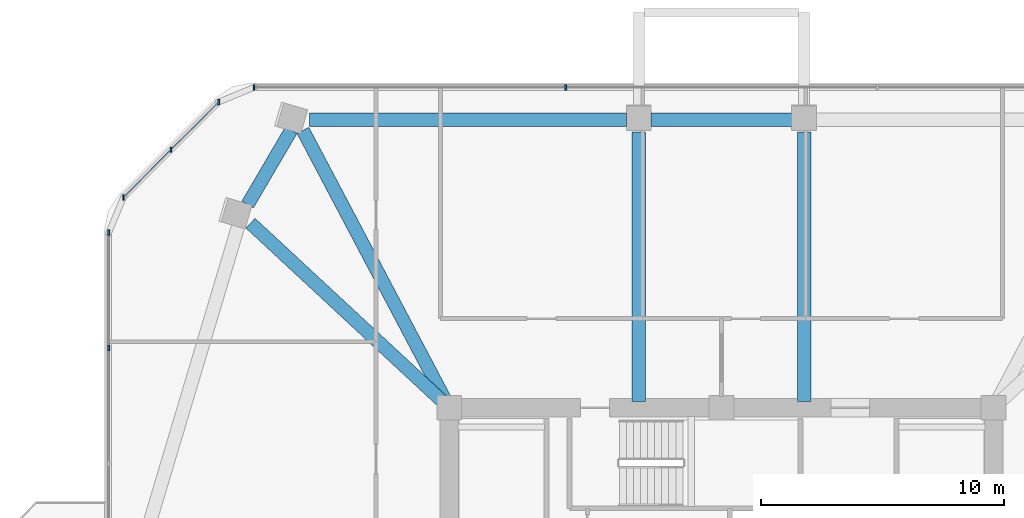
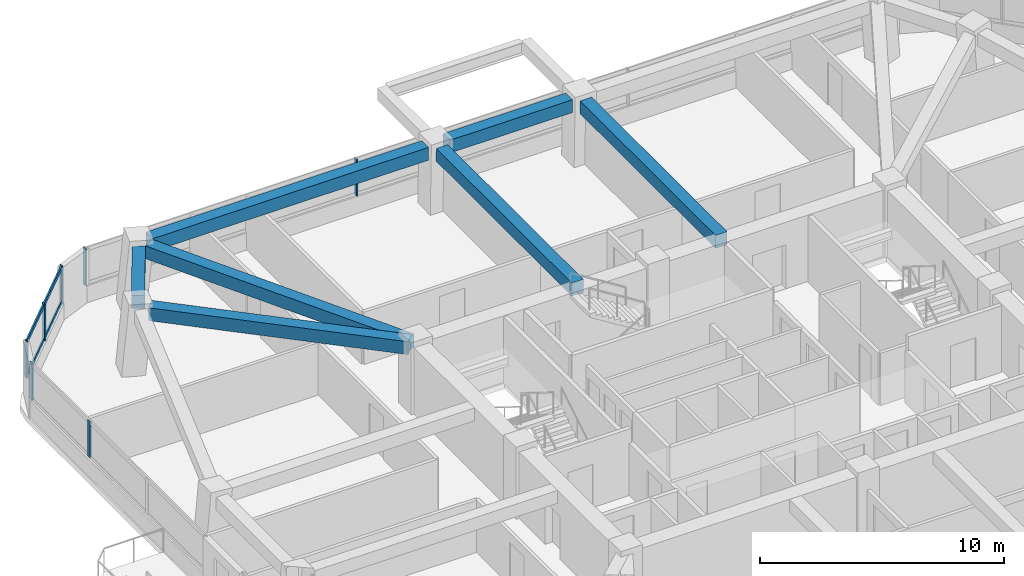
# One storey, part 6 of 14: 9 members, 7 beams, 3 elements without a shape of their own.
"""IFC4 building model written with IfcOpenShell, lengths in metres."""

from ifc_helpers import new_model, si_unit, derived_unit, direction, frame, origin, origin_2d, place, context, subcontext, project, spatial, rectangle, extrude, material, material_profile, profile_set, type_object, element, aggregate, save


model = new_model("IFC4")

# Units and contexts
model_context = context("Model", 3, precision=1e-05, world=origin(), true_north=direction((0.0, 1.0)))
body_context = subcontext(model_context, "Body", "Model", "MODEL_VIEW")
ifc_project = project(units=[si_unit("LENGTHUNIT", "METRE"), si_unit("AREAUNIT", "SQUARE_METRE"), si_unit("VOLUMEUNIT", "CUBIC_METRE"), si_unit("PLANEANGLEUNIT", "RADIAN"), si_unit("MASSUNIT", "GRAM", prefix="KILO"), derived_unit("THERMALTRANSMITTANCEUNIT", [(si_unit("POWERUNIT", "WATT"), 1), (si_unit("LENGTHUNIT", "METRE"), -2), (si_unit("THERMODYNAMICTEMPERATUREUNIT", "KELVIN"), -1)])], contexts=[model_context])

# Site, building, storey
site_placement = place(None, origin())
site = spatial("IfcSite", under=ifc_project, at=site_placement, CompositionType="ELEMENT")
building_placement = place(site_placement, origin())
building = spatial("IfcBuilding", under=site, at=building_placement, Name="Koralith Skygarden Medical Center", CompositionType="ELEMENT")
storey_placement = place(building_placement, frame((0.0, 0.0, 106.3798828125)))
storey = spatial("IfcBuildingStorey", under=building, at=storey_placement, Name="L27", CompositionType="ELEMENT", Elevation=106.3798828125)

# Curtain wall, members
ifc_material_1 = material(Name="Clear Laminated Glass", Category="glass")
curtain_wall_type = type_object("IfcCurtainWallType", Name="CW-3 Zone 2 Faceted Solar Curtain Wall", PredefinedType="NOTDEFINED", material=ifc_material_1)
curtain_wall_1_placement = place(storey_placement, origin())
curtain_wall_1 = element("IfcCurtainWall", 1, at=curtain_wall_1_placement, inside=storey, type_object=curtain_wall_type, Name="Curtain Wall CW-L27-N", PredefinedType="NOTDEFINED")
ifc_material_2 = material(Name="Aluminium 6063-T6", Category="aluminium")
ifc_material_profile_1 = material_profile(ifc_material_2, rectangle(XDim=0.073974609375, YDim=0.219970703125, at=origin_2d()), Name="MUL74X220")
ifc_profile_set_1 = profile_set([ifc_material_profile_1], Name="Aluminium 6063-T6")
member_type_1 = type_object("IfcMemberType", Name="CW-3 Extruded Mullion 74x220", PredefinedType="MULLION", material=ifc_profile_set_1)
member_1_placement = place(storey_placement, frame((30.589111328125, 47.677001953125, 0.85009765625), z_axis=(0.0, 0.0, 1.0), x_axis=(1.0, 0.0, 0.0)))
member_1 = element("IfcMember", 2, at=member_1_placement, type_object=member_type_1, Name="CW-L27-N Mullion 3", PredefinedType="MULLION", context=body_context, shape_type="SweptSolid", body=[
    extrude(rectangle(XDim=0.073974609375, YDim=0.219970703125, at=origin_2d()), origin(), (0.0, 0.0, 1.0), 1.820068359375),
])
member_2_placement = place(storey_placement, frame((17.76708984375, 47.677001953125, 0.85009765625), z_axis=(0.0, 0.0, 1.0), x_axis=(1.0, 0.0, 0.0)))
member_2 = element("IfcMember", 3, at=member_2_placement, type_object=member_type_1, Name="CW-L27-N Mullion 4", PredefinedType="MULLION", context=body_context, shape_type="SweptSolid", body=[
    extrude(rectangle(XDim=0.073974609375, YDim=0.219970703125, at=origin_2d()), origin(), (0.0, 0.0, 1.0), 1.820068359375),
])
aggregate(curtain_wall_1, [member_1, member_2])

curtain_wall_2_placement = place(storey_placement, origin())
curtain_wall_2 = element("IfcCurtainWall", 4, at=curtain_wall_2_placement, inside=storey, type_object=curtain_wall_type, Name="Curtain Wall CW-L27-NW", PredefinedType="NOTDEFINED")
member_3_placement = place(storey_placement, frame((16.31591796875, 47.075927734375, 0.85009765625), z_axis=(0.0, 0.0, 1.0), x_axis=(1.0, 0.0, 0.0)))
member_3 = element("IfcMember", 5, at=member_3_placement, type_object=member_type_1, Name="CW-L27-NW Mullion 1", PredefinedType="MULLION", context=body_context, shape_type="SweptSolid", body=[
    extrude(rectangle(XDim=0.073974609375, YDim=0.219970703125, at=origin_2d()), origin(), (0.0, 0.0, 1.0), 1.820068359375),
])
member_4_placement = place(storey_placement, frame((14.35400390625, 45.114013671875, 0.85009765625), z_axis=(0.0, 0.0, 1.0), x_axis=(1.0, 0.0, 0.0)))
member_4 = element("IfcMember", 6, at=member_4_placement, type_object=member_type_1, Name="CW-L27-NW Mullion 2", PredefinedType="MULLION", context=body_context, shape_type="SweptSolid", body=[
    extrude(rectangle(XDim=0.073974609375, YDim=0.219970703125, at=origin_2d()), origin(), (0.0, 0.0, 1.0), 1.820068359375),
])
member_5_placement = place(storey_placement, frame((12.39306640625, 43.153076171875, 0.85009765625), z_axis=(0.0, 0.0, 1.0), x_axis=(1.0, 0.0, 0.0)))
member_5 = element("IfcMember", 7, at=member_5_placement, type_object=member_type_1, Name="CW-L27-NW Mullion 3", PredefinedType="MULLION", context=body_context, shape_type="SweptSolid", body=[
    extrude(rectangle(XDim=0.073974609375, YDim=0.219970703125, at=origin_2d()), origin(), (0.0, 0.0, 1.0), 1.820068359375),
])

curtain_wall_3_placement = place(storey_placement, origin())
curtain_wall_3 = element("IfcCurtainWall", 8, at=curtain_wall_3_placement, inside=storey, type_object=curtain_wall_type, Name="Curtain Wall CW-L27-W-L", PredefinedType="NOTDEFINED")
member_6_placement = place(storey_placement, frame((11.791015625, 41.701904296875, 0.85009765625), z_axis=(0.0, 0.0, 1.0), x_axis=(1.0, 0.0, 0.0)))
member_6 = element("IfcMember", 9, at=member_6_placement, type_object=member_type_1, Name="CW-L27-W-L Mullion 1", PredefinedType="MULLION", context=body_context, shape_type="SweptSolid", body=[
    extrude(rectangle(XDim=0.073974609375, YDim=0.219970703125, at=origin_2d()), origin(), (0.0, 0.0, 1.0), 1.820068359375),
])
member_7_placement = place(storey_placement, frame((11.791015625, 36.947998046875, 0.85009765625), z_axis=(0.0, 0.0, 1.0), x_axis=(1.0, 0.0, 0.0)))
member_7 = element("IfcMember", 10, at=member_7_placement, type_object=member_type_1, Name="CW-L27-W-L Mullion 2", PredefinedType="MULLION", context=body_context, shape_type="SweptSolid", body=[
    extrude(rectangle(XDim=0.073974609375, YDim=0.219970703125, at=origin_2d()), origin(), (0.0, 0.0, 1.0), 1.820068359375),
])
aggregate(curtain_wall_3, [member_6, member_7])

# Member
ifc_material_profile_2 = material_profile(ifc_material_2, rectangle(XDim=0.069091796875, YDim=0.197998046875, at=origin_2d()), Name="TRN69X198")
ifc_profile_set_2 = profile_set([ifc_material_profile_2], Name="Aluminium 6063-T6")
member_type_2 = type_object("IfcMemberType", Name="CW-3 Thermal Transom 69x198", PredefinedType="USERDEFINED", material=ifc_profile_set_2)
member_8_placement = place(storey_placement, frame((16.31591796875, 47.075927734375, 0.900146484375), z_axis=(-0.707106781187, -0.707106781187, 0.0), x_axis=(0.707106781187, -0.707106781187, 0.0)))
member_8 = element("IfcMember", 11, at=member_8_placement, type_object=member_type_2, Name="CW-L27-NW Transom 1", ObjectType="TRANSOM", PredefinedType="USERDEFINED", context=body_context, shape_type="SweptSolid", body=[
    extrude(rectangle(XDim=0.069091796875, YDim=0.197998046875, at=origin_2d()), origin(), (0.0, 0.0, 1.0), 5.5478515625),
])

member_9_placement = place(storey_placement, frame((16.31591796875, 47.075927734375, 2.6201171875), z_axis=(-0.707106781187, -0.707106781187, 0.0), x_axis=(0.707106781187, -0.707106781187, 0.0)))
member_9 = element("IfcMember", 12, at=member_9_placement, type_object=member_type_2, Name="CW-L27-NW Transom 2", ObjectType="TRANSOM", PredefinedType="USERDEFINED", context=body_context, shape_type="SweptSolid", body=[
    extrude(rectangle(XDim=0.069091796875, YDim=0.197998046875, at=origin_2d()), origin(), (0.0, 0.0, 1.0), 5.5478515625),
])

aggregate(curtain_wall_2, [member_3, member_4, member_5, member_8, member_9])

# Beams
ifc_material_3 = material(Name="Concrete C45/55", Category="concrete")
ifc_material_profile_3 = material_profile(ifc_material_3, rectangle(XDim=0.550048828125, YDim=0.639892578125, at=origin_2d()), Name="RCB550X640")
ifc_profile_set_3 = profile_set([ifc_material_profile_3], Name="Concrete C45/55")
beam_type_1 = type_object("IfcBeamType", Name="Radial Collector Beam RCB550X640", PredefinedType="BEAM", material=ifc_profile_set_3)
for number, where, z_axis, x_axis, name in (
    (13, (40.39990234375, 34.75, 3.0), (0.0, 1.0, 0.0), (-1.0, 0.0, 0.0), "L27 Radial Collector Beam RB-12"),
    (14, (33.60009765625, 34.75, 3.0), (0.0, 1.0, 0.0), (-1.0, 0.0, 0.0), "L27 Radial Collector Beam RB-13"),
):
    element("IfcBeam", number, at=place(storey_placement, frame(where, z_axis=z_axis, x_axis=x_axis)), inside=storey, type_object=beam_type_1, Name=name, PredefinedType="BEAM", context=body_context, shape_type="SweptSolid", body=[
        extrude(rectangle(XDim=0.550048828125, YDim=0.639892578125, at=origin_2d()), origin(), (0.0, 0.0, 1.0), 11.09912109375),
    ])
beam_1_placement = place(storey_placement, frame((25.68310546875, 34.720947265625, 3.0), z_axis=(-0.466777909701, 0.884374571669, 0.0), x_axis=(-0.884374571669, -0.466777909701, 0.0)))
element("IfcBeam", 15, at=beam_1_placement, inside=storey, type_object=beam_type_1, Name="L27 Radial Collector Beam RB-14", PredefinedType="BEAM", context=body_context, shape_type="SweptSolid", body=[
    extrude(rectangle(XDim=0.550048828125, YDim=0.639892578125, at=origin_2d()), origin(), (0.0, 0.0, 1.0), 12.6484375),
])
beam_2_placement = place(storey_placement, frame((25.616943359375, 34.669921875, 3.0), z_axis=(-0.733046147643, 0.680178906925, 0.0), x_axis=(-0.680178906925, -0.733046147643, 0.0)))
element("IfcBeam", 16, at=beam_2_placement, inside=storey, type_object=beam_type_1, Name="L27 Radial Collector Beam RB-15", PredefinedType="BEAM", context=body_context, shape_type="SweptSolid", body=[
    extrude(rectangle(XDim=0.550048828125, YDim=0.639892578125, at=origin_2d()), origin(), (0.0, 0.0, 1.0), 10.90771484375),
])
ifc_material_profile_4 = material_profile(ifc_material_3, rectangle(XDim=0.550048828125, YDim=0.639892578125, at=origin_2d()), Name="RCB550X640")
ifc_profile_set_4 = profile_set([ifc_material_profile_4], Name="Concrete C45/55")
beam_type_2 = type_object("IfcBeamType", Name="Zone 2-3 Spandrel Beam RCB550X640", PredefinedType="SPANDREL", material=ifc_profile_set_4)
beam_3_placement = place(storey_placement, frame((39.89990234375, 46.34912109375, 3.0), z_axis=(-1.0, 0.0, 0.0), x_axis=(0.0, -1.0, 0.0)))
element("IfcBeam", 17, at=beam_3_placement, inside=storey, type_object=beam_type_2, Name="L27 Perimeter Spandrel Beam SP-12", PredefinedType="SPANDREL", context=body_context, shape_type="SweptSolid", body=[
    extrude(rectangle(XDim=0.550048828125, YDim=0.639892578125, at=origin_2d()), origin(), (0.0, 0.0, 1.0), 5.7998046875),
])
beam_4_placement = place(storey_placement, frame((33.10009765625, 46.34912109375, 3.0), z_axis=(-1.0, 0.0, 0.0), x_axis=(0.0, -1.0, 0.0)))
element("IfcBeam", 18, at=beam_4_placement, inside=storey, type_object=beam_type_2, Name="L27 Perimeter Spandrel Beam SP-13", PredefinedType="SPANDREL", context=body_context, shape_type="SweptSolid", body=[
    extrude(rectangle(XDim=0.550048828125, YDim=0.639892578125, at=origin_2d()), origin(), (0.0, 0.0, 1.0), 13.05419921875),
])
beam_5_placement = place(storey_placement, frame((19.2939453125, 45.9169921875, 3.0), z_axis=(-0.504972499237, -0.863135432603, 0.0), x_axis=(0.863135432603, -0.504972499237, 0.0)))
element("IfcBeam", 19, at=beam_5_placement, inside=storey, type_object=beam_type_2, Name="L27 Perimeter Spandrel Beam SP-14", PredefinedType="SPANDREL", context=body_context, shape_type="SweptSolid", body=[
    extrude(rectangle(XDim=0.550048828125, YDim=0.639892578125, at=origin_2d()), origin(), (0.0, 0.0, 1.0), 3.54052734375),
])

save(model, "model.ifc")
